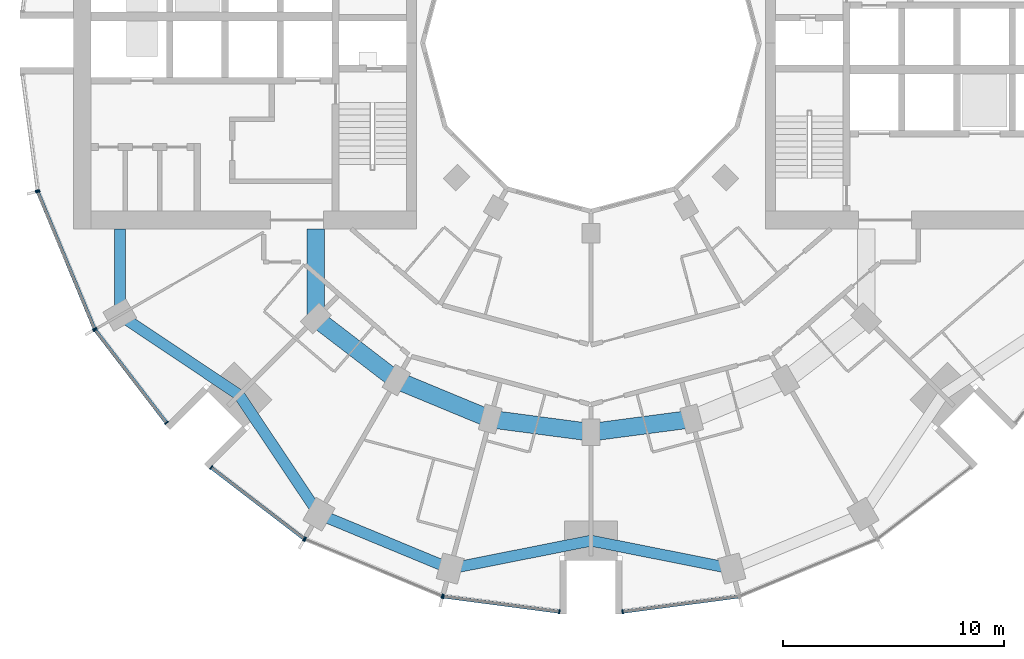
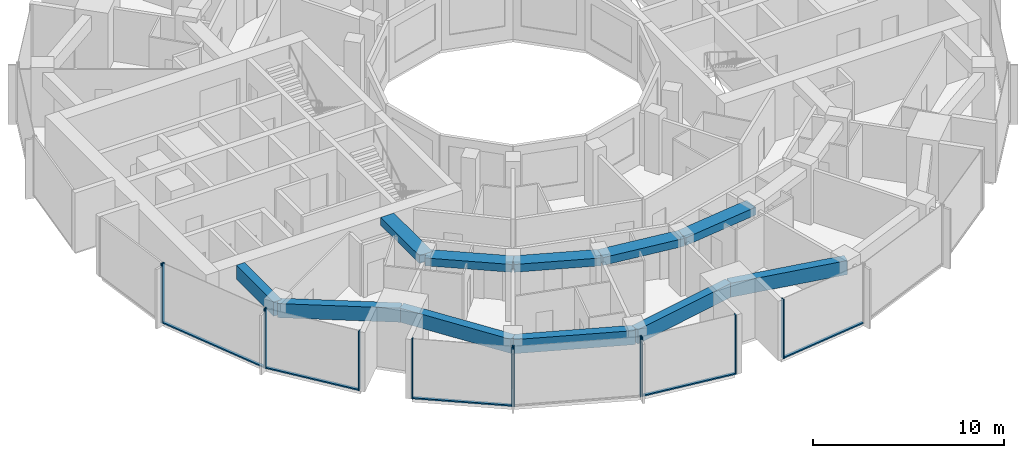
# One storey, part 2 of 15: 17 members, 11 beams, 7 elements without a shape of their own.
"""IFC4 building model written with IfcOpenShell, lengths in metres."""

from ifc_helpers import new_model, si_unit, direction, frame, origin, origin_2d, place, context, subcontext, project, spatial, rectangle, extrude, material, layer, layer_set, material_profile, profile_set, type_object, element, aggregate, save


model = new_model("IFC4")

# Units and contexts
model_context = context("Model", 3, precision=1e-05, world=origin(), true_north=direction((0.0, 1.0)))
body_context = subcontext(model_context, "Body", "Model", "MODEL_VIEW")
ifc_project = project(units=[si_unit("LENGTHUNIT", "METRE"), si_unit("AREAUNIT", "SQUARE_METRE"), si_unit("VOLUMEUNIT", "CUBIC_METRE"), si_unit("PLANEANGLEUNIT", "RADIAN"), si_unit("MASSUNIT", "GRAM", prefix="KILO")], contexts=[model_context])

# Site, building, storey
site_placement = place(None, origin())
site = spatial("IfcSite", under=ifc_project, at=site_placement, CompositionType="ELEMENT")
building_placement = place(site_placement, origin())
building = spatial("IfcBuilding", under=site, at=building_placement, Name="Torre Brocal", CompositionType="ELEMENT")
storey_placement = place(building_placement, frame((0.0, 0.0, 51.60009765625)))
storey = spatial("IfcBuildingStorey", under=building, at=storey_placement, Name="L11", CompositionType="ELEMENT", Elevation=51.60009765625)

# Curtain wall, members
ifc_material_1 = material(Name="Aluminium and glass", Category="aluminium")
ifc_layer_1 = layer(ifc_material_1, 0.199951171875)
ifc_layer_set_1 = layer_set([ifc_layer_1], Name="Aluminium and glass")
curtain_wall_type_1 = type_object("IfcCurtainWallType", Name="CW-1 CURTAIN WALL 3800 HIGH", PredefinedType="NOTDEFINED", material=ifc_layer_set_1)
curtain_wall_1_placement = place(storey_placement, origin())
curtain_wall_1 = element("IfcCurtainWall", 1, at=curtain_wall_1_placement, inside=storey, type_object=curtain_wall_type_1, Name="CW-1 RUN 14", PredefinedType="NOTDEFINED")
ifc_material_2 = material(Name="Aluminium, dark anodised", Category="aluminium")
ifc_material_profile_1 = material_profile(ifc_material_2, rectangle(XDim=0.199951171875, YDim=0.06005859375, at=origin_2d()), Name="CW-1 MULLION 60X200")
ifc_profile_set_1 = profile_set([ifc_material_profile_1], Name="Aluminium, dark anodised")
member_type_1 = type_object("IfcMemberType", Name="CW-1 MULLION 60X200", PredefinedType="MULLION", material=ifc_profile_set_1)
member_1_placement = place(storey_placement, frame((54.994873046875, 68.26904296875, 0.0), z_axis=(0.0, 0.0, 1.0), x_axis=(0.923879532525, 0.382683432333, 0.0)))
member_1 = element("IfcMember", 2, at=member_1_placement, type_object=member_type_1, Name="CW1-1 mullion 1", PredefinedType="MULLION", context=body_context, shape_type="SweptSolid", body=[
    extrude(rectangle(XDim=0.199951171875, YDim=0.06005859375, at=origin_2d()), origin(), (0.0, 0.0, 1.0), 3.7998046875),
])
member_2_placement = place(storey_placement, frame((57.559326171875, 62.078125, 0.0), z_axis=(0.0, 0.0, 1.0), x_axis=(0.923879532525, 0.382683432333, 0.0)))
member_2 = element("IfcMember", 3, at=member_2_placement, type_object=member_type_1, Name="CW1-1 mullion 2", PredefinedType="MULLION", context=body_context, shape_type="SweptSolid", body=[
    extrude(rectangle(XDim=0.199951171875, YDim=0.06005859375, at=origin_2d()), origin(), (0.0, 0.0, 1.0), 3.7998046875),
])

curtain_wall_2_placement = place(storey_placement, origin())
curtain_wall_2 = element("IfcCurtainWall", 4, at=curtain_wall_2_placement, inside=storey, type_object=curtain_wall_type_1, Name="CW-1 RUN 15", PredefinedType="NOTDEFINED")
member_3_placement = place(storey_placement, frame((57.5888671875, 62.026611328125, 0.0), z_axis=(0.0, 0.0, 1.0), x_axis=(0.793353340259, 0.60876142905, 0.0)))
member_3 = element("IfcMember", 5, at=member_3_placement, type_object=member_type_1, Name="CW1-1 mullion 1", PredefinedType="MULLION", context=body_context, shape_type="SweptSolid", body=[
    extrude(rectangle(XDim=0.199951171875, YDim=0.06005859375, at=origin_2d()), origin(), (0.0, 0.0, 1.0), 3.7998046875),
])
member_4_placement = place(storey_placement, frame((60.80859375, 57.83056640625, 0.0), z_axis=(0.0, 0.0, 1.0), x_axis=(0.793353340259, 0.60876142905, 0.0)))
member_4 = element("IfcMember", 6, at=member_4_placement, type_object=member_type_1, Name="CW1-1 mullion 2", PredefinedType="MULLION", context=body_context, shape_type="SweptSolid", body=[
    extrude(rectangle(XDim=0.199951171875, YDim=0.06005859375, at=origin_2d()), origin(), (0.0, 0.0, 1.0), 3.7998046875),
])

curtain_wall_3_placement = place(storey_placement, origin())
curtain_wall_3 = element("IfcCurtainWall", 7, at=curtain_wall_3_placement, inside=storey, type_object=curtain_wall_type_1, Name="CW-1 RUN 16", PredefinedType="NOTDEFINED")
member_5_placement = place(storey_placement, frame((62.83056640625, 55.80859375, 0.0), z_axis=(0.0, 0.0, 1.0), x_axis=(0.60876142905, 0.793353340259, 0.0)))
member_5 = element("IfcMember", 8, at=member_5_placement, type_object=member_type_1, Name="CW1-1 mullion 1", PredefinedType="MULLION", context=body_context, shape_type="SweptSolid", body=[
    extrude(rectangle(XDim=0.199951171875, YDim=0.06005859375, at=origin_2d()), origin(), (0.0, 0.0, 1.0), 3.7998046875),
])
member_6_placement = place(storey_placement, frame((67.026611328125, 52.5888671875, 0.0), z_axis=(0.0, 0.0, 1.0), x_axis=(0.60876142905, 0.793353340259, 0.0)))
member_6 = element("IfcMember", 9, at=member_6_placement, type_object=member_type_1, Name="CW1-1 mullion 2", PredefinedType="MULLION", context=body_context, shape_type="SweptSolid", body=[
    extrude(rectangle(XDim=0.199951171875, YDim=0.06005859375, at=origin_2d()), origin(), (0.0, 0.0, 1.0), 3.7998046875),
])

curtain_wall_4_placement = place(storey_placement, origin())
curtain_wall_4 = element("IfcCurtainWall", 10, at=curtain_wall_4_placement, inside=storey, type_object=curtain_wall_type_1, Name="CW-1 RUN 17", PredefinedType="NOTDEFINED")
member_7_placement = place(storey_placement, frame((67.078125, 52.559326171875, 0.0), z_axis=(0.0, 0.0, 1.0), x_axis=(0.382683432333, 0.923879532525, 0.0)))
member_7 = element("IfcMember", 11, at=member_7_placement, type_object=member_type_1, Name="CW1-1 mullion 1", PredefinedType="MULLION", context=body_context, shape_type="SweptSolid", body=[
    extrude(rectangle(XDim=0.199951171875, YDim=0.06005859375, at=origin_2d()), origin(), (0.0, 0.0, 1.0), 3.7998046875),
])
member_8_placement = place(storey_placement, frame((73.26904296875, 49.994873046875, 0.0), z_axis=(0.0, 0.0, 1.0), x_axis=(0.382683432333, 0.923879532525, 0.0)))
member_8 = element("IfcMember", 12, at=member_8_placement, type_object=member_type_1, Name="CW1-1 mullion 2", PredefinedType="MULLION", context=body_context, shape_type="SweptSolid", body=[
    extrude(rectangle(XDim=0.199951171875, YDim=0.06005859375, at=origin_2d()), origin(), (0.0, 0.0, 1.0), 3.7998046875),
])
aggregate(curtain_wall_4, [member_7, member_8])

curtain_wall_5_placement = place(storey_placement, origin())
curtain_wall_5 = element("IfcCurtainWall", 13, at=curtain_wall_5_placement, inside=storey, type_object=curtain_wall_type_1, Name="CW-1 RUN 18", PredefinedType="NOTDEFINED")
member_9_placement = place(storey_placement, frame((73.32666015625, 49.9794921875, 0.0), z_axis=(0.0, 0.0, 1.0), x_axis=(0.13052619222, 0.991444861374, 0.0)))
member_9 = element("IfcMember", 14, at=member_9_placement, type_object=member_type_1, Name="CW1-1 mullion 1", PredefinedType="MULLION", context=body_context, shape_type="SweptSolid", body=[
    extrude(rectangle(XDim=0.199951171875, YDim=0.06005859375, at=origin_2d()), origin(), (0.0, 0.0, 1.0), 3.7998046875),
])
member_10_placement = place(storey_placement, frame((78.5703125, 49.2890625, 0.0), z_axis=(0.0, 0.0, 1.0), x_axis=(0.13052619222, 0.991444861374, 0.0)))
member_10 = element("IfcMember", 15, at=member_10_placement, type_object=member_type_1, Name="CW1-1 mullion 2", PredefinedType="MULLION", context=body_context, shape_type="SweptSolid", body=[
    extrude(rectangle(XDim=0.199951171875, YDim=0.06005859375, at=origin_2d()), origin(), (0.0, 0.0, 1.0), 3.7998046875),
])

# Curtain wall, member
curtain_wall_6_placement = place(storey_placement, origin())
curtain_wall_6 = element("IfcCurtainWall", 16, at=curtain_wall_6_placement, inside=storey, type_object=curtain_wall_type_1, Name="CW-1 RUN 19", PredefinedType="NOTDEFINED")
member_11_placement = place(storey_placement, frame((81.4296875, 49.2890625, 0.0), z_axis=(0.0, 0.0, 1.0), x_axis=(-0.13052619222, 0.991444861374, 0.0)))
member_11 = element("IfcMember", 17, at=member_11_placement, type_object=member_type_1, Name="CW1-1 mullion 1", PredefinedType="MULLION", context=body_context, shape_type="SweptSolid", body=[
    extrude(rectangle(XDim=0.199951171875, YDim=0.06005859375, at=origin_2d()), origin(), (0.0, 0.0, 1.0), 3.7998046875),
])

# Member
ifc_material_3 = material(Name="Aluminium, dark anodised", Category="aluminium")
ifc_material_profile_2 = material_profile(ifc_material_3, rectangle(XDim=0.159912109375, YDim=0.080078125, at=origin_2d()), Name="CW-1 TRANSOM 160X80")
ifc_profile_set_2 = profile_set([ifc_material_profile_2], Name="Aluminium, dark anodised")
member_type_2 = type_object("IfcMemberType", Name="CW-1 TRANSOM 160X80", PredefinedType="USERDEFINED", material=ifc_profile_set_2)
member_12_placement = place(storey_placement, frame((55.00634765625, 68.241455078125, 0.039794921875), z_axis=(0.38266457234, -0.923887344364, 0.0), x_axis=(0.923887344364, 0.38266457234, 0.0)))
member_12 = element("IfcMember", 18, at=member_12_placement, type_object=member_type_2, Name="CW1-1 transom 1.1", ObjectType="TRANSOM", PredefinedType="USERDEFINED", context=body_context, shape_type="SweptSolid", body=[
    extrude(rectangle(XDim=0.159912109375, YDim=0.080078125, at=origin_2d()), origin(), (0.0, 0.0, 1.0), 6.640869140625),
])

aggregate(curtain_wall_1, [member_1, member_2, member_12])

member_13_placement = place(storey_placement, frame((57.607177734375, 62.0029296875, 0.039794921875), z_axis=(0.60874908096, -0.79336281513, 0.0), x_axis=(0.79336281513, 0.60874908096, 0.0)))
member_13 = element("IfcMember", 19, at=member_13_placement, type_object=member_type_2, Name="CW1-1 transom 1.1", ObjectType="TRANSOM", PredefinedType="USERDEFINED", context=body_context, shape_type="SweptSolid", body=[
    extrude(rectangle(XDim=0.159912109375, YDim=0.080078125, at=origin_2d()), origin(), (0.0, 0.0, 1.0), 5.22900390625),
])

aggregate(curtain_wall_2, [member_3, member_4, member_13])

member_14_placement = place(storey_placement, frame((62.8544921875, 55.790283203125, 0.039794921875), z_axis=(0.79336281513, -0.60874908096, 0.0), x_axis=(0.60874908096, 0.79336281513, 0.0)))
member_14 = element("IfcMember", 20, at=member_14_placement, type_object=member_type_2, Name="CW1-1 transom 1.1", ObjectType="TRANSOM", PredefinedType="USERDEFINED", context=body_context, shape_type="SweptSolid", body=[
    extrude(rectangle(XDim=0.159912109375, YDim=0.080078125, at=origin_2d()), origin(), (0.0, 0.0, 1.0), 5.22900390625),
])

aggregate(curtain_wall_3, [member_5, member_6, member_14])

member_15_placement = place(storey_placement, frame((73.356201171875, 49.9755859375, 0.039794921875), z_axis=(0.991442690863, -0.130542677827, 0.0), x_axis=(0.130542677827, 0.991442690863, 0.0)))
member_15 = element("IfcMember", 21, at=member_15_placement, type_object=member_type_2, Name="CW1-1 transom 1.1", ObjectType="TRANSOM", PredefinedType="USERDEFINED", context=body_context, shape_type="SweptSolid", body=[
    extrude(rectangle(XDim=0.159912109375, YDim=0.080078125, at=origin_2d()), origin(), (0.0, 0.0, 1.0), 5.22900390625),
])

aggregate(curtain_wall_5, [member_9, member_10, member_15])

member_16_placement = place(storey_placement, frame((81.45947265625, 49.29296875, 0.039794921875), z_axis=(0.991442690863, 0.130542677827, 0.0), x_axis=(-0.130542677827, 0.991442690863, 0.0)))
member_16 = element("IfcMember", 22, at=member_16_placement, type_object=member_type_2, Name="CW1-1 transom 1.1", ObjectType="TRANSOM", PredefinedType="USERDEFINED", context=body_context, shape_type="SweptSolid", body=[
    extrude(rectangle(XDim=0.159912109375, YDim=0.080078125, at=origin_2d()), origin(), (0.0, 0.0, 1.0), 5.22900390625),
])

aggregate(curtain_wall_6, [member_11, member_16])

# Curtain wall, member
ifc_material_4 = material(Name="Aluminium and glass", Category="aluminium")
ifc_layer_2 = layer(ifc_material_4, 0.199951171875)
ifc_layer_set_2 = layer_set([ifc_layer_2], Name="Aluminium and glass")
curtain_wall_type_2 = type_object("IfcCurtainWallType", Name="CW-1B CURTAIN WALL 3800 HIGH", PredefinedType="NOTDEFINED", material=ifc_layer_set_2)
curtain_wall_7_placement = place(storey_placement, origin())
curtain_wall_7 = element("IfcCurtainWall", 23, at=curtain_wall_7_placement, inside=storey, type_object=curtain_wall_type_2, Name="CW-1B RUN 13", PredefinedType="NOTDEFINED")
ifc_material_5 = material(Name="Aluminium, dark anodised", Category="aluminium")
ifc_material_profile_3 = material_profile(ifc_material_5, rectangle(XDim=0.199951171875, YDim=0.06005859375, at=origin_2d()), Name="CW-1B MULLION 60X200")
ifc_profile_set_3 = profile_set([ifc_material_profile_3], Name="Aluminium, dark anodised")
member_type_3 = type_object("IfcMemberType", Name="CW-1B MULLION 60X200", PredefinedType="MULLION", material=ifc_profile_set_3)
member_17_placement = place(storey_placement, frame((54.9794921875, 68.32666015625, 0.0), z_axis=(0.0, 0.0, 1.0), x_axis=(0.991444861374, 0.13052619222, 0.0)))
member_17 = element("IfcMember", 24, at=member_17_placement, type_object=member_type_3, Name="CW1B-1 mullion 2", PredefinedType="MULLION", context=body_context, shape_type="SweptSolid", body=[
    extrude(rectangle(XDim=0.199951171875, YDim=0.06005859375, at=origin_2d()), origin(), (0.0, 0.0, 1.0), 3.7998046875),
])
aggregate(curtain_wall_7, [member_17])

# Beams
ifc_material_6 = material(Name="Concrete C50", Category="concrete")
ifc_material_profile_4 = material_profile(ifc_material_6, rectangle(XDim=0.800048828125, YDim=0.5, at=origin_2d()), Name="RC 800X500")
ifc_profile_set_4 = profile_set([ifc_material_profile_4], Name="Concrete C50")
beam_type_1 = type_object("IfcBeamType", Name="RC BEAM 800X500 C50 TOP 3480", PredefinedType="BEAM", material=ifc_profile_set_4)
beam_1_placement = place(storey_placement, frame((67.554931640625, 62.554931640625, 3.22998046875), z_axis=(0.0, 1.0, 0.0), x_axis=(-1.0, 0.0, 0.0)))
element("IfcBeam", 25, at=beam_1_placement, inside=storey, type_object=beam_type_1, Name="Beam BT-19", PredefinedType="BEAM", context=body_context, shape_type="SweptSolid", body=[
    extrude(rectangle(XDim=0.800048828125, YDim=0.5, at=origin_2d()), origin(), (0.0, 0.0, 1.0), 4.045166015625),
])
beam_2_placement = place(storey_placement, frame((67.554931640625, 62.554931640625, 3.22998046875), z_axis=(0.793358265959, -0.6087550097, 0.0), x_axis=(0.6087550097, 0.793358265959, 0.0)))
element("IfcBeam", 26, at=beam_2_placement, inside=storey, type_object=beam_type_1, Name="Beam BT-19", PredefinedType="BEAM", context=body_context, shape_type="SweptSolid", body=[
    extrude(rectangle(XDim=0.800048828125, YDim=0.5, at=origin_2d()), origin(), (0.0, 0.0, 1.0), 4.594482421875),
])
beam_3_placement = place(storey_placement, frame((71.199951171875, 59.758056640625, 3.22998046875), z_axis=(0.923878240166, -0.382686552348, 0.0), x_axis=(0.382686552348, 0.923878240166, 0.0)))
element("IfcBeam", 27, at=beam_3_placement, inside=storey, type_object=beam_type_1, Name="Beam BT-19", PredefinedType="BEAM", context=body_context, shape_type="SweptSolid", body=[
    extrude(rectangle(XDim=0.800048828125, YDim=0.5, at=origin_2d()), origin(), (0.0, 0.0, 1.0), 4.5947265625),
])
for number, where, z_axis, x_axis, name in (
    (28, (75.44482421875, 57.999755859375, 3.22998046875), (0.991440544449, -0.130558978332, 0.0), (0.130558978332, 0.991440544449, 0.0), "Beam BT-19"),
    (29, (80.0, 57.39990234375, 3.22998046875), (0.991440544449, 0.130558978332, 0.0), (-0.130558978332, 0.991440544449, 0.0), "Beam BT-19"),
):
    element("IfcBeam", number, at=place(storey_placement, frame(where, z_axis=z_axis, x_axis=x_axis)), inside=storey, type_object=beam_type_1, Name=name, PredefinedType="BEAM", context=body_context, shape_type="SweptSolid", body=[
        extrude(rectangle(XDim=0.800048828125, YDim=0.5, at=origin_2d()), origin(), (0.0, 0.0, 1.0), 4.594482421875),
    ])
ifc_material_7 = material(Name="Concrete C50", Category="concrete")
ifc_material_profile_5 = material_profile(ifc_material_7, rectangle(XDim=0.5, YDim=0.89990234375, at=origin_2d()), Name="RC 500X900")
ifc_profile_set_5 = profile_set([ifc_material_profile_5], Name="Concrete C50")
beam_type_2 = type_object("IfcBeamType", Name="RC SPANDREL BEAM 500X900 C50 TOP 3480", PredefinedType="SPANDREL", material=ifc_profile_set_5)
beam_4_placement = place(storey_placement, frame((58.69580078125, 62.699951171875, 3.02978515625), z_axis=(0.0, 1.0, 0.0), x_axis=(-1.0, 0.0, 0.0)))
element("IfcBeam", 30, at=beam_4_placement, inside=storey, type_object=beam_type_2, Name="Beam BT-20", PredefinedType="SPANDREL", context=body_context, shape_type="SweptSolid", body=[
    extrude(rectangle(XDim=0.5, YDim=0.89990234375, at=origin_2d()), origin(), (0.0, 0.0, 1.0), 3.900146484375),
])
for number, where, z_axis, x_axis, name in (
    (31, (58.69580078125, 62.699951171875, 3.02978515625), (0.831076844476, -0.556157602282, 0.0), (0.556157602282, 0.831076844476, 0.0), "Beam BT-20"),
    (32, (64.090087890625, 59.090087890625, 3.02978515625), (0.556157602282, -0.831076844476, 0.0), (0.831076844476, 0.556157602282, 0.0), "Beam BT-20"),
):
    element("IfcBeam", number, at=place(storey_placement, frame(where, z_axis=z_axis, x_axis=x_axis)), inside=storey, type_object=beam_type_2, Name=name, PredefinedType="SPANDREL", context=body_context, shape_type="SweptSolid", body=[
        extrude(rectangle(XDim=0.5, YDim=0.89990234375, at=origin_2d()), origin(), (0.0, 0.0, 1.0), 6.49072265625),
    ])
beam_5_placement = place(storey_placement, frame((67.699951171875, 53.69580078125, 3.02978515625), z_axis=(0.923882462513, -0.382676358639, 0.0), x_axis=(0.382676358639, 0.923882462513, 0.0)))
element("IfcBeam", 33, at=beam_5_placement, inside=storey, type_object=beam_type_2, Name="Beam BT-20", PredefinedType="SPANDREL", context=body_context, shape_type="SweptSolid", body=[
    extrude(rectangle(XDim=0.5, YDim=0.89990234375, at=origin_2d()), origin(), (0.0, 0.0, 1.0), 6.421875),
])
for number, where, z_axis, x_axis, name in (
    (34, (73.633056640625, 51.23828125, 3.02978515625), (0.980924907484, 0.194387051723, 0.0), (-0.194387051723, 0.980924907484, 0.0), "Beam BT-20"),
    (35, (80.0, 52.5, 3.02978515625), (0.980924907484, -0.194387051723, 0.0), (0.194387051723, 0.980924907484, 0.0), "Beam BT-20"),
):
    element("IfcBeam", number, at=place(storey_placement, frame(where, z_axis=z_axis, x_axis=x_axis)), inside=storey, type_object=beam_type_2, Name=name, PredefinedType="SPANDREL", context=body_context, shape_type="SweptSolid", body=[
        extrude(rectangle(XDim=0.5, YDim=0.89990234375, at=origin_2d()), origin(), (0.0, 0.0, 1.0), 6.49072265625),
    ])

save(model, "model.ifc")
